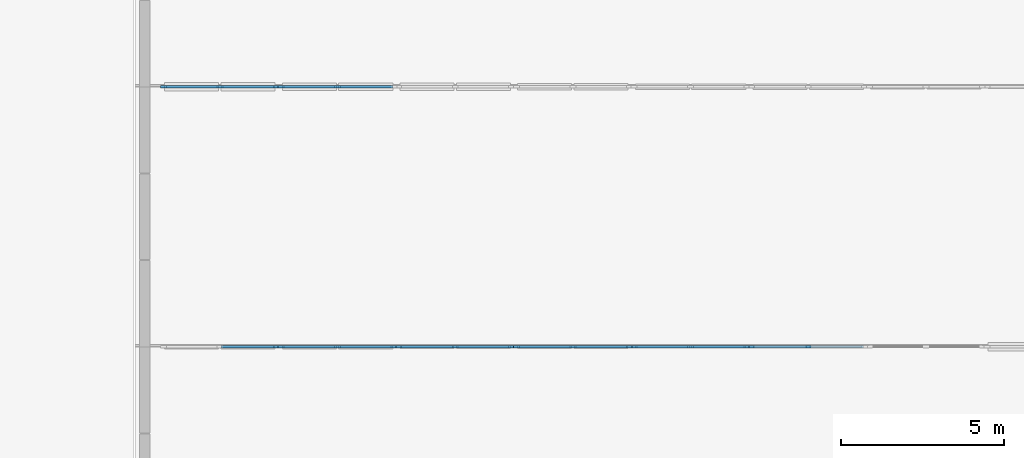
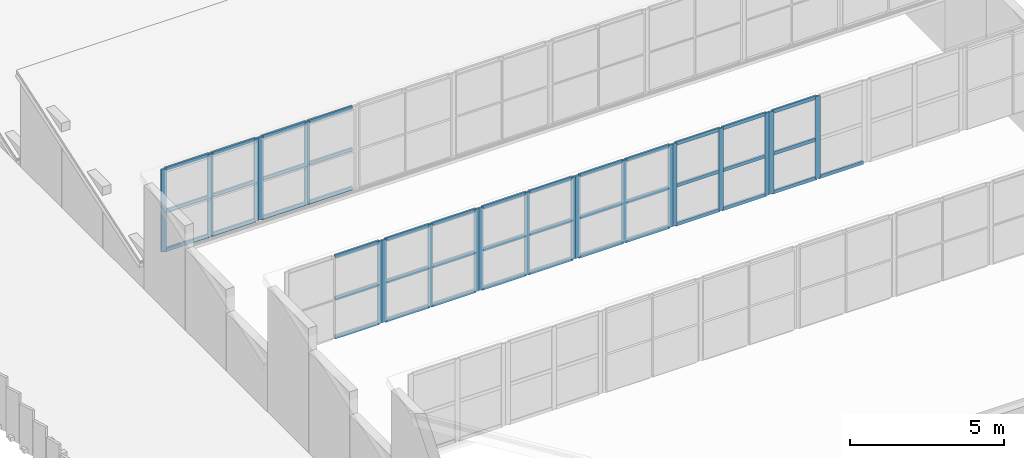
# One storey, part 5 of 45: 63 members, 8 elements without a shape of their own.
"""IFC4 building model written with IfcOpenShell, lengths in metres."""

from ifc_helpers import new_model, si_unit, direction, frame, origin, origin_2d, place, context, subcontext, project, spatial, rectangle, extrude, material, layer, layer_set, material_profile, profile_set, type_object, element, aggregate, save


model = new_model("IFC4")

# Units and contexts
model_context = context("Model", 3, precision=1e-05, world=origin(), true_north=direction((0.0, 1.0)))
body_context = subcontext(model_context, "Body", "Model", "MODEL_VIEW")
ifc_project = project(units=[si_unit("LENGTHUNIT", "METRE"), si_unit("AREAUNIT", "SQUARE_METRE"), si_unit("VOLUMEUNIT", "CUBIC_METRE"), si_unit("PLANEANGLEUNIT", "RADIAN"), si_unit("MASSUNIT", "GRAM", prefix="KILO")], contexts=[model_context])

# Site, building, storey
site_placement = place(None, origin())
site = spatial("IfcSite", under=ifc_project, at=site_placement, CompositionType="ELEMENT")
building_placement = place(site_placement, origin())
building = spatial("IfcBuilding", under=site, at=building_placement, Name="Cinchona Park Media Centre", CompositionType="ELEMENT")
storey_placement = place(building_placement, frame((0.0, 0.0, 20.39990234375)))
storey = spatial("IfcBuildingStorey", under=building, at=storey_placement, Name="L04", CompositionType="ELEMENT", Elevation=20.39990234375)

# Curtain wall, members
ifc_material_1 = material(Name="Aluminium Curtain Wall Framing", Category="aluminium")
ifc_layer = layer(ifc_material_1, 0.31494140625)
ifc_layer_set = layer_set([ifc_layer], Name="Aluminium Curtain Wall Framing")
curtain_wall_type = type_object("IfcCurtainWallType", Name="CW-CW10", PredefinedType="USERDEFINED", material=ifc_layer_set)
curtain_wall_1_placement = place(storey_placement, origin())
curtain_wall_1 = element("IfcCurtainWall", 1, at=curtain_wall_1_placement, inside=storey, type_object=curtain_wall_type, Name="North-Light Sawtooth Clerestory V1 Bay 2.3 CW10 L04", ObjectType="UNITISED CURTAIN WALL", PredefinedType="USERDEFINED")
ifc_material_2 = material(Name="Anodised Aluminium Alloy 6063-T6", Category="aluminium")
ifc_material_profile_1 = material_profile(ifc_material_2, rectangle(XDim=0.070068359375, YDim=0.179931640625, at=origin_2d()), Name="MUL-70X180")
ifc_profile_set_1 = profile_set([ifc_material_profile_1], Name="Anodised Aluminium Alloy 6063-T6")
member_type_1 = type_object("IfcMemberType", Name="MULLION-MUL02", PredefinedType="MULLION", material=ifc_profile_set_1)
member_1_placement = place(storey_placement, frame((35.81005859375, 23.60009765625, 1.780029296875), z_axis=(0.0, 0.0, 1.0), x_axis=(0.0, -1.0, 0.0)))
member_1 = element("IfcMember", 2, at=member_1_placement, type_object=member_type_1, Name="CW10 mullion 2", PredefinedType="MULLION", context=body_context, shape_type="SweptSolid", body=[
    extrude(rectangle(XDim=0.070068359375, YDim=0.179931640625, at=origin_2d()), origin(), (0.0, 0.0, 1.0), 3.257080078125),
])
member_2_placement = place(storey_placement, frame((34.074951171875, 23.60009765625, 1.780029296875), z_axis=(0.0, 0.0, 1.0), x_axis=(0.0, -1.0, 0.0)))
member_2 = element("IfcMember", 3, at=member_2_placement, type_object=member_type_1, Name="CW10 mullion 3", PredefinedType="MULLION", context=body_context, shape_type="SweptSolid", body=[
    extrude(rectangle(XDim=0.070068359375, YDim=0.179931640625, at=origin_2d()), origin(), (0.0, 0.0, 1.0), 3.257080078125),
])

curtain_wall_2_placement = place(storey_placement, origin())
curtain_wall_2 = element("IfcCurtainWall", 4, at=curtain_wall_2_placement, inside=storey, type_object=curtain_wall_type, Name="North-Light Sawtooth Clerestory V1 Bay 2.4 CW10 L04", ObjectType="UNITISED CURTAIN WALL", PredefinedType="USERDEFINED")
member_3_placement = place(storey_placement, frame((33.925048828125, 23.60009765625, 1.780029296875), z_axis=(0.0, 0.0, 1.0), x_axis=(0.0, -1.0, 0.0)))
member_3 = element("IfcMember", 5, at=member_3_placement, type_object=member_type_1, Name="CW10 mullion 1", PredefinedType="MULLION", context=body_context, shape_type="SweptSolid", body=[
    extrude(rectangle(XDim=0.070068359375, YDim=0.179931640625, at=origin_2d()), origin(), (0.0, 0.0, 1.0), 3.257080078125),
])
member_4_placement = place(storey_placement, frame((32.18994140625, 23.60009765625, 1.780029296875), z_axis=(0.0, 0.0, 1.0), x_axis=(0.0, -1.0, 0.0)))
member_4 = element("IfcMember", 6, at=member_4_placement, type_object=member_type_1, Name="CW10 mullion 2", PredefinedType="MULLION", context=body_context, shape_type="SweptSolid", body=[
    extrude(rectangle(XDim=0.070068359375, YDim=0.179931640625, at=origin_2d()), origin(), (0.0, 0.0, 1.0), 3.257080078125),
])
member_5_placement = place(storey_placement, frame((30.455078125, 23.60009765625, 1.780029296875), z_axis=(0.0, 0.0, 1.0), x_axis=(0.0, -1.0, 0.0)))
member_5 = element("IfcMember", 7, at=member_5_placement, type_object=member_type_1, Name="CW10 mullion 3", PredefinedType="MULLION", context=body_context, shape_type="SweptSolid", body=[
    extrude(rectangle(XDim=0.070068359375, YDim=0.179931640625, at=origin_2d()), origin(), (0.0, 0.0, 1.0), 3.257080078125),
])

curtain_wall_3_placement = place(storey_placement, origin())
curtain_wall_3 = element("IfcCurtainWall", 8, at=curtain_wall_3_placement, inside=storey, type_object=curtain_wall_type, Name="North-Light Sawtooth Clerestory V1 Bay 2.5 CW10 L04", ObjectType="UNITISED CURTAIN WALL", PredefinedType="USERDEFINED")
member_6_placement = place(storey_placement, frame((30.304931640625, 23.60009765625, 1.780029296875), z_axis=(0.0, 0.0, 1.0), x_axis=(0.0, -1.0, 0.0)))
member_6 = element("IfcMember", 9, at=member_6_placement, type_object=member_type_1, Name="CW10 mullion 1", PredefinedType="MULLION", context=body_context, shape_type="SweptSolid", body=[
    extrude(rectangle(XDim=0.070068359375, YDim=0.179931640625, at=origin_2d()), origin(), (0.0, 0.0, 1.0), 3.257080078125),
])
member_7_placement = place(storey_placement, frame((28.570068359375, 23.60009765625, 1.780029296875), z_axis=(0.0, 0.0, 1.0), x_axis=(0.0, -1.0, 0.0)))
member_7 = element("IfcMember", 10, at=member_7_placement, type_object=member_type_1, Name="CW10 mullion 2", PredefinedType="MULLION", context=body_context, shape_type="SweptSolid", body=[
    extrude(rectangle(XDim=0.070068359375, YDim=0.179931640625, at=origin_2d()), origin(), (0.0, 0.0, 1.0), 3.257080078125),
])
member_8_placement = place(storey_placement, frame((26.8349609375, 23.60009765625, 1.780029296875), z_axis=(0.0, 0.0, 1.0), x_axis=(0.0, -1.0, 0.0)))
member_8 = element("IfcMember", 11, at=member_8_placement, type_object=member_type_1, Name="CW10 mullion 3", PredefinedType="MULLION", context=body_context, shape_type="SweptSolid", body=[
    extrude(rectangle(XDim=0.070068359375, YDim=0.179931640625, at=origin_2d()), origin(), (0.0, 0.0, 1.0), 3.257080078125),
])

curtain_wall_4_placement = place(storey_placement, origin())
curtain_wall_4 = element("IfcCurtainWall", 12, at=curtain_wall_4_placement, inside=storey, type_object=curtain_wall_type, Name="North-Light Sawtooth Clerestory V1 Bay 2.6 CW10 L04", ObjectType="UNITISED CURTAIN WALL", PredefinedType="USERDEFINED")
member_9_placement = place(storey_placement, frame((26.68505859375, 23.60009765625, 1.780029296875), z_axis=(0.0, 0.0, 1.0), x_axis=(0.0, -1.0, 0.0)))
member_9 = element("IfcMember", 13, at=member_9_placement, type_object=member_type_1, Name="CW10 mullion 1", PredefinedType="MULLION", context=body_context, shape_type="SweptSolid", body=[
    extrude(rectangle(XDim=0.070068359375, YDim=0.179931640625, at=origin_2d()), origin(), (0.0, 0.0, 1.0), 3.257080078125),
])
member_10_placement = place(storey_placement, frame((24.949951171875, 23.60009765625, 1.780029296875), z_axis=(0.0, 0.0, 1.0), x_axis=(0.0, -1.0, 0.0)))
member_10 = element("IfcMember", 14, at=member_10_placement, type_object=member_type_1, Name="CW10 mullion 2", PredefinedType="MULLION", context=body_context, shape_type="SweptSolid", body=[
    extrude(rectangle(XDim=0.070068359375, YDim=0.179931640625, at=origin_2d()), origin(), (0.0, 0.0, 1.0), 3.257080078125),
])
member_11_placement = place(storey_placement, frame((23.215087890625, 23.60009765625, 1.780029296875), z_axis=(0.0, 0.0, 1.0), x_axis=(0.0, -1.0, 0.0)))
member_11 = element("IfcMember", 15, at=member_11_placement, type_object=member_type_1, Name="CW10 mullion 3", PredefinedType="MULLION", context=body_context, shape_type="SweptSolid", body=[
    extrude(rectangle(XDim=0.070068359375, YDim=0.179931640625, at=origin_2d()), origin(), (0.0, 0.0, 1.0), 3.257080078125),
])

curtain_wall_5_placement = place(storey_placement, origin())
curtain_wall_5 = element("IfcCurtainWall", 16, at=curtain_wall_5_placement, inside=storey, type_object=curtain_wall_type, Name="North-Light Sawtooth Clerestory V1 Bay 2.7 CW10 L04", ObjectType="UNITISED CURTAIN WALL", PredefinedType="USERDEFINED")
member_12_placement = place(storey_placement, frame((23.06494140625, 23.60009765625, 1.780029296875), z_axis=(0.0, 0.0, 1.0), x_axis=(0.0, -1.0, 0.0)))
member_12 = element("IfcMember", 17, at=member_12_placement, type_object=member_type_1, Name="CW10 mullion 1", PredefinedType="MULLION", context=body_context, shape_type="SweptSolid", body=[
    extrude(rectangle(XDim=0.070068359375, YDim=0.179931640625, at=origin_2d()), origin(), (0.0, 0.0, 1.0), 3.257080078125),
])
member_13_placement = place(storey_placement, frame((21.330078125, 23.60009765625, 1.780029296875), z_axis=(0.0, 0.0, 1.0), x_axis=(0.0, -1.0, 0.0)))
member_13 = element("IfcMember", 18, at=member_13_placement, type_object=member_type_1, Name="CW10 mullion 2", PredefinedType="MULLION", context=body_context, shape_type="SweptSolid", body=[
    extrude(rectangle(XDim=0.070068359375, YDim=0.179931640625, at=origin_2d()), origin(), (0.0, 0.0, 1.0), 3.257080078125),
])
member_14_placement = place(storey_placement, frame((19.594970703125, 23.60009765625, 1.780029296875), z_axis=(0.0, 0.0, 1.0), x_axis=(0.0, -1.0, 0.0)))
member_14 = element("IfcMember", 19, at=member_14_placement, type_object=member_type_1, Name="CW10 mullion 3", PredefinedType="MULLION", context=body_context, shape_type="SweptSolid", body=[
    extrude(rectangle(XDim=0.070068359375, YDim=0.179931640625, at=origin_2d()), origin(), (0.0, 0.0, 1.0), 3.257080078125),
])

# Curtain wall, member
curtain_wall_6_placement = place(storey_placement, origin())
curtain_wall_6 = element("IfcCurtainWall", 20, at=curtain_wall_6_placement, inside=storey, type_object=curtain_wall_type, Name="North-Light Sawtooth Clerestory V1 Bay 2.8 CW10 L04", ObjectType="UNITISED CURTAIN WALL", PredefinedType="USERDEFINED")
member_15_placement = place(storey_placement, frame((19.445068359375, 23.60009765625, 1.780029296875), z_axis=(0.0, 0.0, 1.0), x_axis=(0.0, -1.0, 0.0)))
member_15 = element("IfcMember", 21, at=member_15_placement, type_object=member_type_1, Name="CW10 mullion 1", PredefinedType="MULLION", context=body_context, shape_type="SweptSolid", body=[
    extrude(rectangle(XDim=0.070068359375, YDim=0.179931640625, at=origin_2d()), origin(), (0.0, 0.0, 1.0), 3.257080078125),
])

# Curtain wall, members
curtain_wall_7_placement = place(storey_placement, origin())
curtain_wall_7 = element("IfcCurtainWall", 22, at=curtain_wall_7_placement, inside=storey, type_object=curtain_wall_type, Name="North-Light Sawtooth Clerestory V1 Bay 3.7 CW10 L04", ObjectType="UNITISED CURTAIN WALL", PredefinedType="USERDEFINED")
member_16_placement = place(storey_placement, frame((21.330078125, 31.60009765625, 0.97998046875), z_axis=(0.0, 0.0, 1.0), x_axis=(0.0, -1.0, 0.0)))
member_16 = element("IfcMember", 23, at=member_16_placement, type_object=member_type_1, Name="CW10 mullion 2", PredefinedType="MULLION", context=body_context, shape_type="SweptSolid", body=[
    extrude(rectangle(XDim=0.070068359375, YDim=0.179931640625, at=origin_2d()), origin(), (0.0, 0.0, 1.0), 3.257080078125),
])
member_17_placement = place(storey_placement, frame((19.594970703125, 31.60009765625, 0.97998046875), z_axis=(0.0, 0.0, 1.0), x_axis=(0.0, -1.0, 0.0)))
member_17 = element("IfcMember", 24, at=member_17_placement, type_object=member_type_1, Name="CW10 mullion 3", PredefinedType="MULLION", context=body_context, shape_type="SweptSolid", body=[
    extrude(rectangle(XDim=0.070068359375, YDim=0.179931640625, at=origin_2d()), origin(), (0.0, 0.0, 1.0), 3.257080078125),
])

curtain_wall_8_placement = place(storey_placement, origin())
curtain_wall_8 = element("IfcCurtainWall", 25, at=curtain_wall_8_placement, inside=storey, type_object=curtain_wall_type, Name="North-Light Sawtooth Clerestory V1 Bay 3.8 CW10 L04", ObjectType="UNITISED CURTAIN WALL", PredefinedType="USERDEFINED")
member_18_placement = place(storey_placement, frame((19.445068359375, 31.60009765625, 0.97998046875), z_axis=(0.0, 0.0, 1.0), x_axis=(0.0, -1.0, 0.0)))
member_18 = element("IfcMember", 26, at=member_18_placement, type_object=member_type_1, Name="CW10 mullion 1", PredefinedType="MULLION", context=body_context, shape_type="SweptSolid", body=[
    extrude(rectangle(XDim=0.070068359375, YDim=0.179931640625, at=origin_2d()), origin(), (0.0, 0.0, 1.0), 3.257080078125),
])
member_19_placement = place(storey_placement, frame((17.7099609375, 31.60009765625, 0.97998046875), z_axis=(0.0, 0.0, 1.0), x_axis=(0.0, -1.0, 0.0)))
member_19 = element("IfcMember", 27, at=member_19_placement, type_object=member_type_1, Name="CW10 mullion 2", PredefinedType="MULLION", context=body_context, shape_type="SweptSolid", body=[
    extrude(rectangle(XDim=0.070068359375, YDim=0.179931640625, at=origin_2d()), origin(), (0.0, 0.0, 1.0), 3.257080078125),
])
member_20_placement = place(storey_placement, frame((15.97509765625, 31.60009765625, 0.97998046875), z_axis=(0.0, 0.0, 1.0), x_axis=(0.0, -1.0, 0.0)))
member_20 = element("IfcMember", 28, at=member_20_placement, type_object=member_type_1, Name="CW10 mullion 3", PredefinedType="MULLION", context=body_context, shape_type="SweptSolid", body=[
    extrude(rectangle(XDim=0.070068359375, YDim=0.179931640625, at=origin_2d()), origin(), (0.0, 0.0, 1.0), 3.257080078125),
])

# Member
ifc_material_3 = material(Name="Anodised Aluminium Alloy 6063-T6", Category="aluminium")
ifc_material_profile_2 = material_profile(ifc_material_3, rectangle(XDim=0.070068359375, YDim=0.139892578125, at=origin_2d()), Name="TRN-70X140")
ifc_profile_set_2 = profile_set([ifc_material_profile_2], Name="Anodised Aluminium Alloy 6063-T6")
member_type_2 = type_object("IfcMemberType", Name="TRANSOM-TRN02", PredefinedType="USERDEFINED", material=ifc_profile_set_2)
member_21_placement = place(storey_placement, frame((37.510009765625, 23.60009765625, 1.815185546875), z_axis=(-1.0, 0.0, 0.0), x_axis=(0.0, -1.0, 0.0)))
member_21 = element("IfcMember", 29, at=member_21_placement, type_object=member_type_2, Name="CW10 transom 1.1", ObjectType="TRANSOM", PredefinedType="USERDEFINED", context=body_context, shape_type="SweptSolid", body=[
    extrude(rectangle(XDim=0.070068359375, YDim=0.139892578125, at=origin_2d()), origin(), (0.0, 0.0, 1.0), 1.6650390625),
])

member_22_placement = place(storey_placement, frame((35.77490234375, 23.60009765625, 1.815185546875), z_axis=(-1.0, 0.0, 0.0), x_axis=(0.0, -1.0, 0.0)))
member_22 = element("IfcMember", 30, at=member_22_placement, type_object=member_type_2, Name="CW10 transom 2.1", ObjectType="TRANSOM", PredefinedType="USERDEFINED", context=body_context, shape_type="SweptSolid", body=[
    extrude(rectangle(XDim=0.070068359375, YDim=0.139892578125, at=origin_2d()), origin(), (0.0, 0.0, 1.0), 1.664794921875),
])

member_23_placement = place(storey_placement, frame((35.77490234375, 23.60009765625, 3.343017578125), z_axis=(-1.0, 0.0, 0.0), x_axis=(0.0, -1.0, 0.0)))
member_23 = element("IfcMember", 31, at=member_23_placement, type_object=member_type_2, Name="CW10 transom 2.2", ObjectType="TRANSOM", PredefinedType="USERDEFINED", context=body_context, shape_type="SweptSolid", body=[
    extrude(rectangle(XDim=0.070068359375, YDim=0.139892578125, at=origin_2d()), origin(), (0.0, 0.0, 1.0), 1.664794921875),
])

member_24_placement = place(storey_placement, frame((35.77490234375, 23.60009765625, 5.002197265625), z_axis=(-1.0, 0.0, 0.0), x_axis=(0.0, -1.0, 0.0)))
member_24 = element("IfcMember", 32, at=member_24_placement, type_object=member_type_2, Name="CW10 transom 2.3", ObjectType="TRANSOM", PredefinedType="USERDEFINED", context=body_context, shape_type="SweptSolid", body=[
    extrude(rectangle(XDim=0.070068359375, YDim=0.139892578125, at=origin_2d()), origin(), (0.0, 0.0, 1.0), 1.664794921875),
])

aggregate(curtain_wall_1, [member_1, member_2, member_21, member_22, member_23, member_24])

member_25_placement = place(storey_placement, frame((33.889892578125, 23.60009765625, 1.815185546875), z_axis=(-1.0, 0.0, 0.0), x_axis=(0.0, -1.0, 0.0)))
member_25 = element("IfcMember", 33, at=member_25_placement, type_object=member_type_2, Name="CW10 transom 1.1", ObjectType="TRANSOM", PredefinedType="USERDEFINED", context=body_context, shape_type="SweptSolid", body=[
    extrude(rectangle(XDim=0.070068359375, YDim=0.139892578125, at=origin_2d()), origin(), (0.0, 0.0, 1.0), 1.664794921875),
])

member_26_placement = place(storey_placement, frame((33.889892578125, 23.60009765625, 3.343017578125), z_axis=(-1.0, 0.0, 0.0), x_axis=(0.0, -1.0, 0.0)))
member_26 = element("IfcMember", 34, at=member_26_placement, type_object=member_type_2, Name="CW10 transom 1.2", ObjectType="TRANSOM", PredefinedType="USERDEFINED", context=body_context, shape_type="SweptSolid", body=[
    extrude(rectangle(XDim=0.070068359375, YDim=0.139892578125, at=origin_2d()), origin(), (0.0, 0.0, 1.0), 1.664794921875),
])

member_27_placement = place(storey_placement, frame((33.889892578125, 23.60009765625, 5.002197265625), z_axis=(-1.0, 0.0, 0.0), x_axis=(0.0, -1.0, 0.0)))
member_27 = element("IfcMember", 35, at=member_27_placement, type_object=member_type_2, Name="CW10 transom 1.3", ObjectType="TRANSOM", PredefinedType="USERDEFINED", context=body_context, shape_type="SweptSolid", body=[
    extrude(rectangle(XDim=0.070068359375, YDim=0.139892578125, at=origin_2d()), origin(), (0.0, 0.0, 1.0), 1.664794921875),
])

member_28_placement = place(storey_placement, frame((32.155029296875, 23.60009765625, 1.815185546875), z_axis=(-1.0, 0.0, 0.0), x_axis=(0.0, -1.0, 0.0)))
member_28 = element("IfcMember", 36, at=member_28_placement, type_object=member_type_2, Name="CW10 transom 2.1", ObjectType="TRANSOM", PredefinedType="USERDEFINED", context=body_context, shape_type="SweptSolid", body=[
    extrude(rectangle(XDim=0.070068359375, YDim=0.139892578125, at=origin_2d()), origin(), (0.0, 0.0, 1.0), 1.6650390625),
])

member_29_placement = place(storey_placement, frame((32.155029296875, 23.60009765625, 3.343017578125), z_axis=(-1.0, 0.0, 0.0), x_axis=(0.0, -1.0, 0.0)))
member_29 = element("IfcMember", 37, at=member_29_placement, type_object=member_type_2, Name="CW10 transom 2.2", ObjectType="TRANSOM", PredefinedType="USERDEFINED", context=body_context, shape_type="SweptSolid", body=[
    extrude(rectangle(XDim=0.070068359375, YDim=0.139892578125, at=origin_2d()), origin(), (0.0, 0.0, 1.0), 1.6650390625),
])

member_30_placement = place(storey_placement, frame((32.155029296875, 23.60009765625, 5.002197265625), z_axis=(-1.0, 0.0, 0.0), x_axis=(0.0, -1.0, 0.0)))
member_30 = element("IfcMember", 38, at=member_30_placement, type_object=member_type_2, Name="CW10 transom 2.3", ObjectType="TRANSOM", PredefinedType="USERDEFINED", context=body_context, shape_type="SweptSolid", body=[
    extrude(rectangle(XDim=0.070068359375, YDim=0.139892578125, at=origin_2d()), origin(), (0.0, 0.0, 1.0), 1.6650390625),
])

aggregate(curtain_wall_2, [member_3, member_4, member_5, member_25, member_26, member_27, member_28, member_29, member_30])

member_31_placement = place(storey_placement, frame((30.27001953125, 23.60009765625, 1.815185546875), z_axis=(-1.0, 0.0, 0.0), x_axis=(0.0, -1.0, 0.0)))
member_31 = element("IfcMember", 39, at=member_31_placement, type_object=member_type_2, Name="CW10 transom 1.1", ObjectType="TRANSOM", PredefinedType="USERDEFINED", context=body_context, shape_type="SweptSolid", body=[
    extrude(rectangle(XDim=0.070068359375, YDim=0.139892578125, at=origin_2d()), origin(), (0.0, 0.0, 1.0), 1.6650390625),
])

member_32_placement = place(storey_placement, frame((30.27001953125, 23.60009765625, 3.343017578125), z_axis=(-1.0, 0.0, 0.0), x_axis=(0.0, -1.0, 0.0)))
member_32 = element("IfcMember", 40, at=member_32_placement, type_object=member_type_2, Name="CW10 transom 1.2", ObjectType="TRANSOM", PredefinedType="USERDEFINED", context=body_context, shape_type="SweptSolid", body=[
    extrude(rectangle(XDim=0.070068359375, YDim=0.139892578125, at=origin_2d()), origin(), (0.0, 0.0, 1.0), 1.6650390625),
])

member_33_placement = place(storey_placement, frame((30.27001953125, 23.60009765625, 5.002197265625), z_axis=(-1.0, 0.0, 0.0), x_axis=(0.0, -1.0, 0.0)))
member_33 = element("IfcMember", 41, at=member_33_placement, type_object=member_type_2, Name="CW10 transom 1.3", ObjectType="TRANSOM", PredefinedType="USERDEFINED", context=body_context, shape_type="SweptSolid", body=[
    extrude(rectangle(XDim=0.070068359375, YDim=0.139892578125, at=origin_2d()), origin(), (0.0, 0.0, 1.0), 1.6650390625),
])

member_34_placement = place(storey_placement, frame((28.534912109375, 23.60009765625, 1.815185546875), z_axis=(-1.0, 0.0, 0.0), x_axis=(0.0, -1.0, 0.0)))
member_34 = element("IfcMember", 42, at=member_34_placement, type_object=member_type_2, Name="CW10 transom 2.1", ObjectType="TRANSOM", PredefinedType="USERDEFINED", context=body_context, shape_type="SweptSolid", body=[
    extrude(rectangle(XDim=0.070068359375, YDim=0.139892578125, at=origin_2d()), origin(), (0.0, 0.0, 1.0), 1.664794921875),
])

member_35_placement = place(storey_placement, frame((28.534912109375, 23.60009765625, 3.343017578125), z_axis=(-1.0, 0.0, 0.0), x_axis=(0.0, -1.0, 0.0)))
member_35 = element("IfcMember", 43, at=member_35_placement, type_object=member_type_2, Name="CW10 transom 2.2", ObjectType="TRANSOM", PredefinedType="USERDEFINED", context=body_context, shape_type="SweptSolid", body=[
    extrude(rectangle(XDim=0.070068359375, YDim=0.139892578125, at=origin_2d()), origin(), (0.0, 0.0, 1.0), 1.664794921875),
])

member_36_placement = place(storey_placement, frame((28.534912109375, 23.60009765625, 5.002197265625), z_axis=(-1.0, 0.0, 0.0), x_axis=(0.0, -1.0, 0.0)))
member_36 = element("IfcMember", 44, at=member_36_placement, type_object=member_type_2, Name="CW10 transom 2.3", ObjectType="TRANSOM", PredefinedType="USERDEFINED", context=body_context, shape_type="SweptSolid", body=[
    extrude(rectangle(XDim=0.070068359375, YDim=0.139892578125, at=origin_2d()), origin(), (0.0, 0.0, 1.0), 1.664794921875),
])

aggregate(curtain_wall_3, [member_6, member_7, member_8, member_31, member_32, member_33, member_34, member_35, member_36])

member_37_placement = place(storey_placement, frame((26.64990234375, 23.60009765625, 1.815185546875), z_axis=(-1.0, 0.0, 0.0), x_axis=(0.0, -1.0, 0.0)))
member_37 = element("IfcMember", 45, at=member_37_placement, type_object=member_type_2, Name="CW10 transom 1.1", ObjectType="TRANSOM", PredefinedType="USERDEFINED", context=body_context, shape_type="SweptSolid", body=[
    extrude(rectangle(XDim=0.070068359375, YDim=0.139892578125, at=origin_2d()), origin(), (0.0, 0.0, 1.0), 1.664794921875),
])

member_38_placement = place(storey_placement, frame((26.64990234375, 23.60009765625, 3.343017578125), z_axis=(-1.0, 0.0, 0.0), x_axis=(0.0, -1.0, 0.0)))
member_38 = element("IfcMember", 46, at=member_38_placement, type_object=member_type_2, Name="CW10 transom 1.2", ObjectType="TRANSOM", PredefinedType="USERDEFINED", context=body_context, shape_type="SweptSolid", body=[
    extrude(rectangle(XDim=0.070068359375, YDim=0.139892578125, at=origin_2d()), origin(), (0.0, 0.0, 1.0), 1.664794921875),
])

member_39_placement = place(storey_placement, frame((26.64990234375, 23.60009765625, 5.002197265625), z_axis=(-1.0, 0.0, 0.0), x_axis=(0.0, -1.0, 0.0)))
member_39 = element("IfcMember", 47, at=member_39_placement, type_object=member_type_2, Name="CW10 transom 1.3", ObjectType="TRANSOM", PredefinedType="USERDEFINED", context=body_context, shape_type="SweptSolid", body=[
    extrude(rectangle(XDim=0.070068359375, YDim=0.139892578125, at=origin_2d()), origin(), (0.0, 0.0, 1.0), 1.664794921875),
])

member_40_placement = place(storey_placement, frame((24.9150390625, 23.60009765625, 1.815185546875), z_axis=(-1.0, 0.0, 0.0), x_axis=(0.0, -1.0, 0.0)))
member_40 = element("IfcMember", 48, at=member_40_placement, type_object=member_type_2, Name="CW10 transom 2.1", ObjectType="TRANSOM", PredefinedType="USERDEFINED", context=body_context, shape_type="SweptSolid", body=[
    extrude(rectangle(XDim=0.070068359375, YDim=0.139892578125, at=origin_2d()), origin(), (0.0, 0.0, 1.0), 1.6650390625),
])

member_41_placement = place(storey_placement, frame((24.9150390625, 23.60009765625, 3.343017578125), z_axis=(-1.0, 0.0, 0.0), x_axis=(0.0, -1.0, 0.0)))
member_41 = element("IfcMember", 49, at=member_41_placement, type_object=member_type_2, Name="CW10 transom 2.2", ObjectType="TRANSOM", PredefinedType="USERDEFINED", context=body_context, shape_type="SweptSolid", body=[
    extrude(rectangle(XDim=0.070068359375, YDim=0.139892578125, at=origin_2d()), origin(), (0.0, 0.0, 1.0), 1.6650390625),
])

member_42_placement = place(storey_placement, frame((24.9150390625, 23.60009765625, 5.002197265625), z_axis=(-1.0, 0.0, 0.0), x_axis=(0.0, -1.0, 0.0)))
member_42 = element("IfcMember", 50, at=member_42_placement, type_object=member_type_2, Name="CW10 transom 2.3", ObjectType="TRANSOM", PredefinedType="USERDEFINED", context=body_context, shape_type="SweptSolid", body=[
    extrude(rectangle(XDim=0.070068359375, YDim=0.139892578125, at=origin_2d()), origin(), (0.0, 0.0, 1.0), 1.6650390625),
])

aggregate(curtain_wall_4, [member_9, member_10, member_11, member_37, member_38, member_39, member_40, member_41, member_42])

member_43_placement = place(storey_placement, frame((23.030029296875, 23.60009765625, 1.815185546875), z_axis=(-1.0, 0.0, 0.0), x_axis=(0.0, -1.0, 0.0)))
member_43 = element("IfcMember", 51, at=member_43_placement, type_object=member_type_2, Name="CW10 transom 1.1", ObjectType="TRANSOM", PredefinedType="USERDEFINED", context=body_context, shape_type="SweptSolid", body=[
    extrude(rectangle(XDim=0.070068359375, YDim=0.139892578125, at=origin_2d()), origin(), (0.0, 0.0, 1.0), 1.6650390625),
])

member_44_placement = place(storey_placement, frame((23.030029296875, 23.60009765625, 3.343017578125), z_axis=(-1.0, 0.0, 0.0), x_axis=(0.0, -1.0, 0.0)))
member_44 = element("IfcMember", 52, at=member_44_placement, type_object=member_type_2, Name="CW10 transom 1.2", ObjectType="TRANSOM", PredefinedType="USERDEFINED", context=body_context, shape_type="SweptSolid", body=[
    extrude(rectangle(XDim=0.070068359375, YDim=0.139892578125, at=origin_2d()), origin(), (0.0, 0.0, 1.0), 1.6650390625),
])

member_45_placement = place(storey_placement, frame((23.030029296875, 23.60009765625, 5.002197265625), z_axis=(-1.0, 0.0, 0.0), x_axis=(0.0, -1.0, 0.0)))
member_45 = element("IfcMember", 53, at=member_45_placement, type_object=member_type_2, Name="CW10 transom 1.3", ObjectType="TRANSOM", PredefinedType="USERDEFINED", context=body_context, shape_type="SweptSolid", body=[
    extrude(rectangle(XDim=0.070068359375, YDim=0.139892578125, at=origin_2d()), origin(), (0.0, 0.0, 1.0), 1.6650390625),
])

member_46_placement = place(storey_placement, frame((21.294921875, 23.60009765625, 1.815185546875), z_axis=(-1.0, 0.0, 0.0), x_axis=(0.0, -1.0, 0.0)))
member_46 = element("IfcMember", 54, at=member_46_placement, type_object=member_type_2, Name="CW10 transom 2.1", ObjectType="TRANSOM", PredefinedType="USERDEFINED", context=body_context, shape_type="SweptSolid", body=[
    extrude(rectangle(XDim=0.070068359375, YDim=0.139892578125, at=origin_2d()), origin(), (0.0, 0.0, 1.0), 1.6650390625),
])

member_47_placement = place(storey_placement, frame((21.294921875, 23.60009765625, 3.343017578125), z_axis=(-1.0, 0.0, 0.0), x_axis=(0.0, -1.0, 0.0)))
member_47 = element("IfcMember", 55, at=member_47_placement, type_object=member_type_2, Name="CW10 transom 2.2", ObjectType="TRANSOM", PredefinedType="USERDEFINED", context=body_context, shape_type="SweptSolid", body=[
    extrude(rectangle(XDim=0.070068359375, YDim=0.139892578125, at=origin_2d()), origin(), (0.0, 0.0, 1.0), 1.6650390625),
])

member_48_placement = place(storey_placement, frame((21.294921875, 23.60009765625, 5.002197265625), z_axis=(-1.0, 0.0, 0.0), x_axis=(0.0, -1.0, 0.0)))
member_48 = element("IfcMember", 56, at=member_48_placement, type_object=member_type_2, Name="CW10 transom 2.3", ObjectType="TRANSOM", PredefinedType="USERDEFINED", context=body_context, shape_type="SweptSolid", body=[
    extrude(rectangle(XDim=0.070068359375, YDim=0.139892578125, at=origin_2d()), origin(), (0.0, 0.0, 1.0), 1.6650390625),
])

aggregate(curtain_wall_5, [member_12, member_13, member_14, member_43, member_44, member_45, member_46, member_47, member_48])

member_49_placement = place(storey_placement, frame((19.409912109375, 23.60009765625, 1.815185546875), z_axis=(-1.0, 0.0, 0.0), x_axis=(0.0, -1.0, 0.0)))
member_49 = element("IfcMember", 57, at=member_49_placement, type_object=member_type_2, Name="CW10 transom 1.1", ObjectType="TRANSOM", PredefinedType="USERDEFINED", context=body_context, shape_type="SweptSolid", body=[
    extrude(rectangle(XDim=0.070068359375, YDim=0.139892578125, at=origin_2d()), origin(), (0.0, 0.0, 1.0), 1.664794921875),
])

member_50_placement = place(storey_placement, frame((19.409912109375, 23.60009765625, 3.343017578125), z_axis=(-1.0, 0.0, 0.0), x_axis=(0.0, -1.0, 0.0)))
member_50 = element("IfcMember", 58, at=member_50_placement, type_object=member_type_2, Name="CW10 transom 1.2", ObjectType="TRANSOM", PredefinedType="USERDEFINED", context=body_context, shape_type="SweptSolid", body=[
    extrude(rectangle(XDim=0.070068359375, YDim=0.139892578125, at=origin_2d()), origin(), (0.0, 0.0, 1.0), 1.664794921875),
])

member_51_placement = place(storey_placement, frame((19.409912109375, 23.60009765625, 5.002197265625), z_axis=(-1.0, 0.0, 0.0), x_axis=(0.0, -1.0, 0.0)))
member_51 = element("IfcMember", 59, at=member_51_placement, type_object=member_type_2, Name="CW10 transom 1.3", ObjectType="TRANSOM", PredefinedType="USERDEFINED", context=body_context, shape_type="SweptSolid", body=[
    extrude(rectangle(XDim=0.070068359375, YDim=0.139892578125, at=origin_2d()), origin(), (0.0, 0.0, 1.0), 1.664794921875),
])

aggregate(curtain_wall_6, [member_15, member_49, member_50, member_51])

member_52_placement = place(storey_placement, frame((23.030029296875, 31.60009765625, 1.01513671875), z_axis=(-1.0, 0.0, 0.0), x_axis=(0.0, -1.0, 0.0)))
member_52 = element("IfcMember", 60, at=member_52_placement, type_object=member_type_2, Name="CW10 transom 1.1", ObjectType="TRANSOM", PredefinedType="USERDEFINED", context=body_context, shape_type="SweptSolid", body=[
    extrude(rectangle(XDim=0.070068359375, YDim=0.139892578125, at=origin_2d()), origin(), (0.0, 0.0, 1.0), 1.6650390625),
])

member_53_placement = place(storey_placement, frame((23.030029296875, 31.60009765625, 2.543212890625), z_axis=(-1.0, 0.0, 0.0), x_axis=(0.0, -1.0, 0.0)))
member_53 = element("IfcMember", 61, at=member_53_placement, type_object=member_type_2, Name="CW10 transom 1.2", ObjectType="TRANSOM", PredefinedType="USERDEFINED", context=body_context, shape_type="SweptSolid", body=[
    extrude(rectangle(XDim=0.070068359375, YDim=0.139892578125, at=origin_2d()), origin(), (0.0, 0.0, 1.0), 1.6650390625),
])

member_54_placement = place(storey_placement, frame((23.030029296875, 31.60009765625, 4.2021484375), z_axis=(-1.0, 0.0, 0.0), x_axis=(0.0, -1.0, 0.0)))
member_54 = element("IfcMember", 62, at=member_54_placement, type_object=member_type_2, Name="CW10 transom 1.3", ObjectType="TRANSOM", PredefinedType="USERDEFINED", context=body_context, shape_type="SweptSolid", body=[
    extrude(rectangle(XDim=0.070068359375, YDim=0.139892578125, at=origin_2d()), origin(), (0.0, 0.0, 1.0), 1.6650390625),
])

member_55_placement = place(storey_placement, frame((21.294921875, 31.60009765625, 1.01513671875), z_axis=(-1.0, 0.0, 0.0), x_axis=(0.0, -1.0, 0.0)))
member_55 = element("IfcMember", 63, at=member_55_placement, type_object=member_type_2, Name="CW10 transom 2.1", ObjectType="TRANSOM", PredefinedType="USERDEFINED", context=body_context, shape_type="SweptSolid", body=[
    extrude(rectangle(XDim=0.070068359375, YDim=0.139892578125, at=origin_2d()), origin(), (0.0, 0.0, 1.0), 1.6650390625),
])

member_56_placement = place(storey_placement, frame((21.294921875, 31.60009765625, 2.543212890625), z_axis=(-1.0, 0.0, 0.0), x_axis=(0.0, -1.0, 0.0)))
member_56 = element("IfcMember", 64, at=member_56_placement, type_object=member_type_2, Name="CW10 transom 2.2", ObjectType="TRANSOM", PredefinedType="USERDEFINED", context=body_context, shape_type="SweptSolid", body=[
    extrude(rectangle(XDim=0.070068359375, YDim=0.139892578125, at=origin_2d()), origin(), (0.0, 0.0, 1.0), 1.6650390625),
])

member_57_placement = place(storey_placement, frame((21.294921875, 31.60009765625, 4.2021484375), z_axis=(-1.0, 0.0, 0.0), x_axis=(0.0, -1.0, 0.0)))
member_57 = element("IfcMember", 65, at=member_57_placement, type_object=member_type_2, Name="CW10 transom 2.3", ObjectType="TRANSOM", PredefinedType="USERDEFINED", context=body_context, shape_type="SweptSolid", body=[
    extrude(rectangle(XDim=0.070068359375, YDim=0.139892578125, at=origin_2d()), origin(), (0.0, 0.0, 1.0), 1.6650390625),
])

aggregate(curtain_wall_7, [member_16, member_17, member_52, member_53, member_54, member_55, member_56, member_57])

member_58_placement = place(storey_placement, frame((19.409912109375, 31.60009765625, 1.01513671875), z_axis=(-1.0, 0.0, 0.0), x_axis=(0.0, -1.0, 0.0)))
member_58 = element("IfcMember", 66, at=member_58_placement, type_object=member_type_2, Name="CW10 transom 1.1", ObjectType="TRANSOM", PredefinedType="USERDEFINED", context=body_context, shape_type="SweptSolid", body=[
    extrude(rectangle(XDim=0.070068359375, YDim=0.139892578125, at=origin_2d()), origin(), (0.0, 0.0, 1.0), 1.664794921875),
])

member_59_placement = place(storey_placement, frame((19.409912109375, 31.60009765625, 2.543212890625), z_axis=(-1.0, 0.0, 0.0), x_axis=(0.0, -1.0, 0.0)))
member_59 = element("IfcMember", 67, at=member_59_placement, type_object=member_type_2, Name="CW10 transom 1.2", ObjectType="TRANSOM", PredefinedType="USERDEFINED", context=body_context, shape_type="SweptSolid", body=[
    extrude(rectangle(XDim=0.070068359375, YDim=0.139892578125, at=origin_2d()), origin(), (0.0, 0.0, 1.0), 1.664794921875),
])

member_60_placement = place(storey_placement, frame((19.409912109375, 31.60009765625, 4.2021484375), z_axis=(-1.0, 0.0, 0.0), x_axis=(0.0, -1.0, 0.0)))
member_60 = element("IfcMember", 68, at=member_60_placement, type_object=member_type_2, Name="CW10 transom 1.3", ObjectType="TRANSOM", PredefinedType="USERDEFINED", context=body_context, shape_type="SweptSolid", body=[
    extrude(rectangle(XDim=0.070068359375, YDim=0.139892578125, at=origin_2d()), origin(), (0.0, 0.0, 1.0), 1.664794921875),
])

member_61_placement = place(storey_placement, frame((17.675048828125, 31.60009765625, 1.01513671875), z_axis=(-1.0, 0.0, 0.0), x_axis=(0.0, -1.0, 0.0)))
member_61 = element("IfcMember", 69, at=member_61_placement, type_object=member_type_2, Name="CW10 transom 2.1", ObjectType="TRANSOM", PredefinedType="USERDEFINED", context=body_context, shape_type="SweptSolid", body=[
    extrude(rectangle(XDim=0.070068359375, YDim=0.139892578125, at=origin_2d()), origin(), (0.0, 0.0, 1.0), 1.6650390625),
])

member_62_placement = place(storey_placement, frame((17.675048828125, 31.60009765625, 2.543212890625), z_axis=(-1.0, 0.0, 0.0), x_axis=(0.0, -1.0, 0.0)))
member_62 = element("IfcMember", 70, at=member_62_placement, type_object=member_type_2, Name="CW10 transom 2.2", ObjectType="TRANSOM", PredefinedType="USERDEFINED", context=body_context, shape_type="SweptSolid", body=[
    extrude(rectangle(XDim=0.070068359375, YDim=0.139892578125, at=origin_2d()), origin(), (0.0, 0.0, 1.0), 1.6650390625),
])

member_63_placement = place(storey_placement, frame((17.675048828125, 31.60009765625, 4.2021484375), z_axis=(-1.0, 0.0, 0.0), x_axis=(0.0, -1.0, 0.0)))
member_63 = element("IfcMember", 71, at=member_63_placement, type_object=member_type_2, Name="CW10 transom 2.3", ObjectType="TRANSOM", PredefinedType="USERDEFINED", context=body_context, shape_type="SweptSolid", body=[
    extrude(rectangle(XDim=0.070068359375, YDim=0.139892578125, at=origin_2d()), origin(), (0.0, 0.0, 1.0), 1.6650390625),
])

aggregate(curtain_wall_8, [member_18, member_19, member_20, member_58, member_59, member_60, member_61, member_62, member_63])

save(model, "model.ifc")
